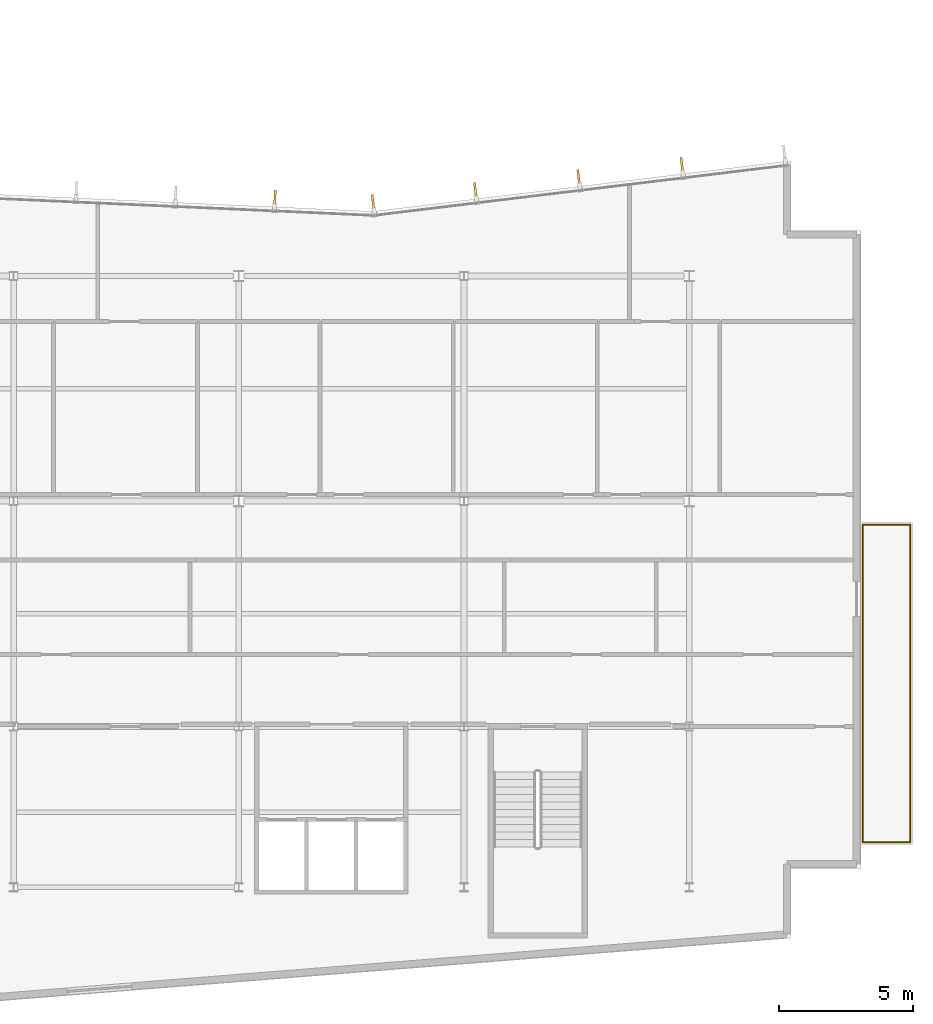
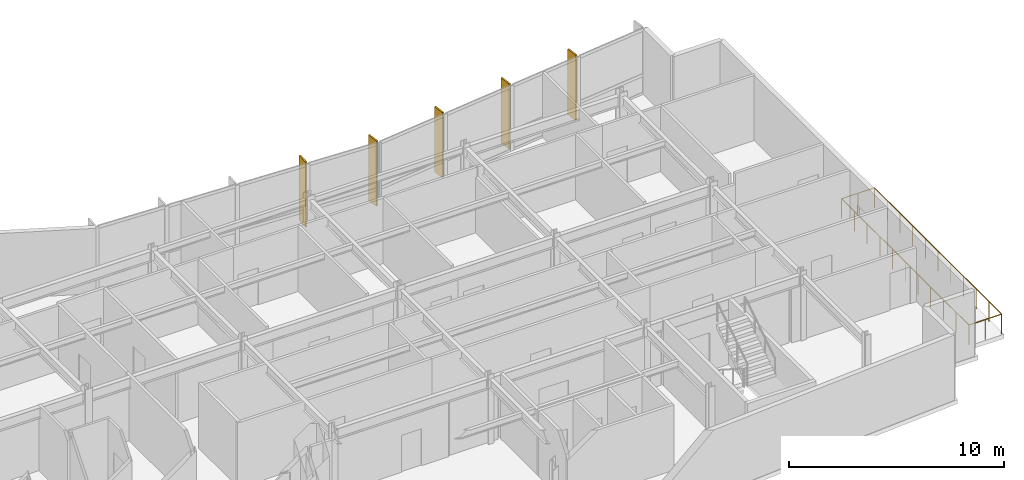
# One storey, part 15 of 17: 5 shading devices, 4 railings.
"""IFC4 building model written with IfcOpenShell, lengths in metres."""

from ifc_helpers import new_model, si_unit, direction, frame, origin, origin_2d, place, context, subcontext, project, spatial, rectangle, circle, extrude, material, layer, layer_set, type_object, element, save


model = new_model("IFC4")

# Units and contexts
model_context = context("Model", 3, precision=1e-05, world=origin(), true_north=direction((0.0, 1.0)))
body_context = subcontext(model_context, "Body", "Model", "MODEL_VIEW")
ifc_project = project(units=[si_unit("LENGTHUNIT", "METRE"), si_unit("AREAUNIT", "SQUARE_METRE"), si_unit("VOLUMEUNIT", "CUBIC_METRE"), si_unit("PLANEANGLEUNIT", "RADIAN"), si_unit("MASSUNIT", "GRAM", prefix="KILO")], contexts=[model_context])

# Site, building, storey
site_placement = place(None, origin())
site = spatial("IfcSite", under=ifc_project, at=site_placement, CompositionType="ELEMENT")
building_placement = place(site_placement, origin())
building = spatial("IfcBuilding", under=site, at=building_placement, Name="Varnakote Quay Hospital", CompositionType="ELEMENT")
storey_placement = place(building_placement, frame((0.0, 0.0, 111.25)))
storey = spatial("IfcBuildingStorey", under=building, at=storey_placement, Name="L27", CompositionType="ELEMENT", Elevation=111.25)

# Railings
ifc_material_1 = material(Name="Anodised aluminium 6063-T6 Bronze", Category="aluminium")
railing_type = type_object("IfcRailingType", Name="RLG-EXT-GUARD-1150", PredefinedType="GUARDRAIL", material=ifc_material_1)
railing_1_placement = place(storey_placement, frame((56.8759765625, 7.679931640625, 0.0)))
element("IfcRailing", 1, at=railing_1_placement, inside=storey, type_object=railing_type, Name="L27 Zigzag Prow Healing Terrace Safety Guard", PredefinedType="GUARDRAIL", context=body_context, shape_type="SweptSolid", body=[
    extrude(circle(Radius=0.02392578125, at=origin_2d()), frame((0.0, 0.0, 1.1259765625), z_axis=(0.0, 1.0, 0.0), x_axis=(-1.0, 0.0, 0.0)), (0.0, 0.0, 1.0), 11.840087890625),
    extrude(circle(Radius=0.02099609375, at=origin_2d()), origin(), (0.0, 0.0, 1.0), 1.101806640625),
    extrude(circle(Radius=0.02099609375, at=origin_2d()), frame((0.0, 1.18408203125, 0.0)), (0.0, 0.0, 1.0), 1.101806640625),
    extrude(circle(Radius=0.02099609375, at=origin_2d()), frame((0.0, 2.367919921875, 0.0)), (0.0, 0.0, 1.0), 1.101806640625),
    extrude(circle(Radius=0.02099609375, at=origin_2d()), frame((0.0, 3.552001953125, 0.0)), (0.0, 0.0, 1.0), 1.101806640625),
    extrude(circle(Radius=0.02099609375, at=origin_2d()), frame((0.0, 4.736083984375, 0.0)), (0.0, 0.0, 1.0), 1.101806640625),
    extrude(circle(Radius=0.02099609375, at=origin_2d()), frame((0.0, 5.919921875, 0.0)), (0.0, 0.0, 1.0), 1.101806640625),
    extrude(circle(Radius=0.02099609375, at=origin_2d()), frame((0.0, 7.10400390625, 0.0)), (0.0, 0.0, 1.0), 1.101806640625),
    extrude(circle(Radius=0.02099609375, at=origin_2d()), frame((0.0, 8.2880859375, 0.0)), (0.0, 0.0, 1.0), 1.101806640625),
    extrude(circle(Radius=0.02099609375, at=origin_2d()), frame((0.0, 9.47216796875, 0.0)), (0.0, 0.0, 1.0), 1.101806640625),
    extrude(circle(Radius=0.02099609375, at=origin_2d()), frame((0.0, 10.656005859375, 0.0)), (0.0, 0.0, 1.0), 1.101806640625),
    extrude(circle(Radius=0.02099609375, at=origin_2d()), frame((0.0, 11.840087890625, 0.0)), (0.0, 0.0, 1.0), 1.101806640625),
])
railing_2_placement = place(storey_placement, frame((56.8759765625, 19.52001953125, 0.0)))
element("IfcRailing", 2, at=railing_2_placement, inside=storey, type_object=railing_type, Name="L27 Zigzag Prow Healing Terrace Safety Guard", PredefinedType="GUARDRAIL", context=body_context, shape_type="SweptSolid", body=[
    extrude(circle(Radius=0.02392578125, at=origin_2d()), frame((0.0, 0.0, 1.1259765625), z_axis=(1.0, 0.0, 0.0), x_axis=(0.0, 1.0, 0.0)), (0.0, 0.0, 1.0), 1.763916015625),
    extrude(circle(Radius=0.02099609375, at=origin_2d()), origin(), (0.0, 0.0, 1.0), 1.101806640625),
    extrude(circle(Radius=0.02099609375, at=origin_2d()), frame((0.8818359375, 0.0, 0.0)), (0.0, 0.0, 1.0), 1.101806640625),
    extrude(circle(Radius=0.02099609375, at=origin_2d()), frame((1.763916015625, 0.0, 0.0)), (0.0, 0.0, 1.0), 1.101806640625),
])
railing_3_placement = place(storey_placement, frame((58.639892578125, 19.52001953125, 0.0)))
element("IfcRailing", 3, at=railing_3_placement, inside=storey, type_object=railing_type, Name="L27 Zigzag Prow Healing Terrace Safety Guard", PredefinedType="GUARDRAIL", context=body_context, shape_type="SweptSolid", body=[
    extrude(circle(Radius=0.02392578125, at=origin_2d()), frame((0.0, 0.0, 1.1259765625), z_axis=(0.0, -1.0, 0.0), x_axis=(1.0, 0.0, 0.0)), (0.0, 0.0, 1.0), 11.840087890625),
    extrude(circle(Radius=0.02099609375, at=origin_2d()), origin(), (0.0, 0.0, 1.0), 1.101806640625),
    extrude(circle(Radius=0.02099609375, at=origin_2d()), frame((0.0, -1.18408203125, 0.0)), (0.0, 0.0, 1.0), 1.101806640625),
    extrude(circle(Radius=0.02099609375, at=origin_2d()), frame((0.0, -2.367919921875, 0.0)), (0.0, 0.0, 1.0), 1.101806640625),
    extrude(circle(Radius=0.02099609375, at=origin_2d()), frame((0.0, -3.552001953125, 0.0)), (0.0, 0.0, 1.0), 1.101806640625),
    extrude(circle(Radius=0.02099609375, at=origin_2d()), frame((0.0, -4.736083984375, 0.0)), (0.0, 0.0, 1.0), 1.101806640625),
    extrude(circle(Radius=0.02099609375, at=origin_2d()), frame((0.0, -5.919921875, 0.0)), (0.0, 0.0, 1.0), 1.101806640625),
    extrude(circle(Radius=0.02099609375, at=origin_2d()), frame((0.0, -7.10400390625, 0.0)), (0.0, 0.0, 1.0), 1.101806640625),
    extrude(circle(Radius=0.02099609375, at=origin_2d()), frame((0.0, -8.2880859375, 0.0)), (0.0, 0.0, 1.0), 1.101806640625),
    extrude(circle(Radius=0.02099609375, at=origin_2d()), frame((0.0, -9.47216796875, 0.0)), (0.0, 0.0, 1.0), 1.101806640625),
    extrude(circle(Radius=0.02099609375, at=origin_2d()), frame((0.0, -10.656005859375, 0.0)), (0.0, 0.0, 1.0), 1.101806640625),
    extrude(circle(Radius=0.02099609375, at=origin_2d()), frame((0.0, -11.840087890625, 0.0)), (0.0, 0.0, 1.0), 1.101806640625),
])
railing_4_placement = place(storey_placement, frame((58.639892578125, 7.679931640625, 0.0)))
element("IfcRailing", 4, at=railing_4_placement, inside=storey, type_object=railing_type, Name="L27 Zigzag Prow Healing Terrace Safety Guard", PredefinedType="GUARDRAIL", context=body_context, shape_type="SweptSolid", body=[
    extrude(circle(Radius=0.02392578125, at=origin_2d()), frame((0.0, 0.0, 1.1259765625), z_axis=(-1.0, 0.0, 0.0), x_axis=(0.0, -1.0, 0.0)), (0.0, 0.0, 1.0), 1.763916015625),
    extrude(circle(Radius=0.02099609375, at=origin_2d()), origin(), (0.0, 0.0, 1.0), 1.101806640625),
    extrude(circle(Radius=0.02099609375, at=origin_2d()), frame((-0.8818359375, 0.0, 0.0)), (0.0, 0.0, 1.0), 1.101806640625),
    extrude(circle(Radius=0.02099609375, at=origin_2d()), frame((-1.763916015625, 0.0, 0.0)), (0.0, 0.0, 1.0), 1.101806640625),
])

# Shading devices
ifc_material_2 = material(Name="Anodised aluminium 6063-T6 Bronze", Category="aluminium")
ifc_layer = layer(ifc_material_2, 0.0849609375)
ifc_layer_set = layer_set([ifc_layer], Name="Anodised aluminium 6063-T6 Bronze")
shading_device_type = type_object("IfcShadingDeviceType", Name="SHD-BRONZE-FIN-620", PredefinedType="USERDEFINED", material=ifc_layer_set)
for number, where, z_axis, x_axis, name in (
    (5, (50.131103515625, 32.9189453125, 0.0), (0.0, 0.0, 1.0), (0.120310105847, -0.992736358975, 0.0), "L27 Anodised Bronze Vertical Shading FIN"),
    (6, (46.278564453125, 32.4521484375, 0.0), (0.0, 0.0, 1.0), (0.120310105847, -0.992736358975, 0.0), "L27 Anodised Bronze Vertical Shading FIN"),
    (7, (42.426025390625, 31.985107421875, 0.0), (0.0, 0.0, 1.0), (0.120310105847, -0.992736358975, 0.0), "L27 Anodised Bronze Vertical Shading FIN"),
    (8, (38.61083984375, 31.522705078125, 0.0), (0.0, 0.0, 1.0), (0.120310105847, -0.992736358975, 0.0), "L27 Anodised Bronze Vertical Shading FIN"),
    (9, (34.947998046875, 31.68701171875, 0.0), (0.0, 0.0, 1.0), (-0.044839922168, -0.998994184858, 0.0), "L27 Anodised Bronze Vertical Shading FIN"),
):
    element("IfcShadingDevice", number, at=place(storey_placement, frame(where, z_axis=z_axis, x_axis=x_axis)), inside=storey, type_object=shading_device_type, Name=name, ObjectType="FIN", PredefinedType="USERDEFINED", context=body_context, shape_type="SweptSolid", body=[
        extrude(rectangle(XDim=0.6201171875, YDim=0.0849609375, at=origin_2d()), origin(), (0.0, 0.0, 1.0), 3.7099609375),
    ])

save(model, "model.ifc")
